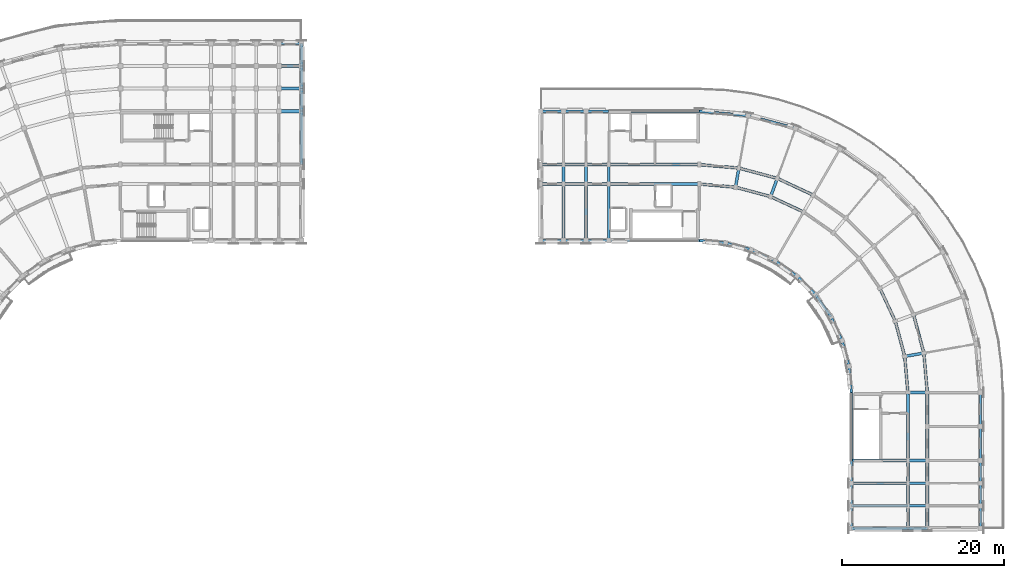
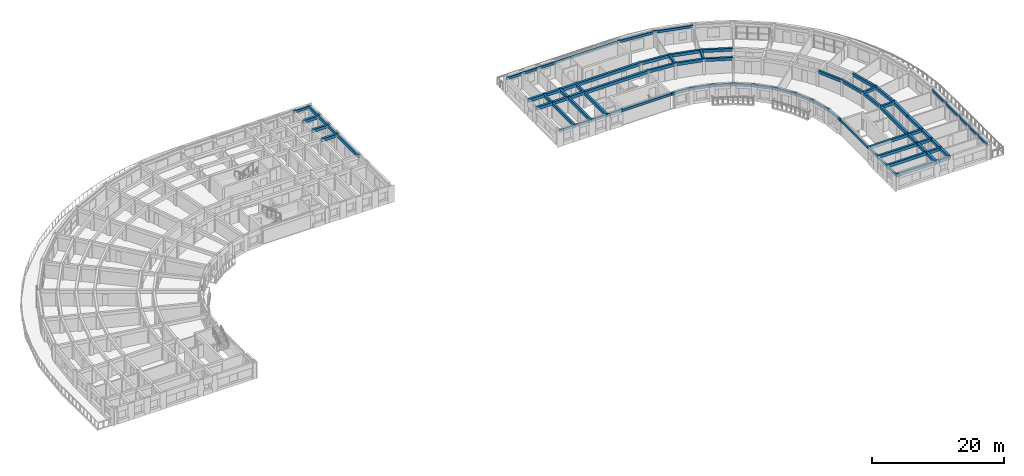
# One storey, part 7 of 32: 82 beams.
"""IFC4 building model written with IfcOpenShell, lengths in metres."""

import ifcopenshell
import ifcopenshell.guid

model = None  # the IFC model being written
_history = None  # IfcOwnerHistory: only IFC2X3 demands one
_inside = {}  # id of a spatial element -> (the spatial element, [elements in it])
_under = {}  # id of a project, library or spatial element -> (it, [spatial elements below it])
_declared = {}  # id of a project -> (the project, [libraries it declares])
_typed = {}  # id of a type object -> (the type object, [elements of that type])
_made_of = {}  # id of a material, layer set ... -> (it, [elements and type objects made of it])


def new_model(schema):
    """Start an empty IFC model of exactly this schema.

    Asked for "IFC4X3", IfcOpenShell would pick the latest addendum, in which some entities
    have other attributes; the version numbers below select the first issue.
    IFC2X3 requires an IfcOwnerHistory on every rooted entity: one is made here for all.
    """
    global model, _history
    if schema == "IFC4X3":
        model = ifcopenshell.file(schema_version=(4, 3, 0, 0))
    else:
        model = ifcopenshell.file(schema=schema)
    _inside.clear()
    _under.clear()
    _declared.clear()
    _typed.clear()
    _made_of.clear()
    _history = None
    if model.schema == "IFC2X3":
        org = make("IfcOrganization", Name="unknown")
        user = make(
            "IfcPersonAndOrganization",
            ThePerson=make("IfcPerson", FamilyName="unknown"),
            TheOrganization=org,
        )
        app = make(
            "IfcApplication",
            ApplicationDeveloper=org,
            Version="unknown",
            ApplicationFullName="unknown",
            ApplicationIdentifier="unknown",
        )
        _history = make(
            "IfcOwnerHistory",
            OwningUser=user,
            OwningApplication=app,
            ChangeAction="ADDED",
            CreationDate=0,
        )
    return model


def make(cls, **values):
    """One entity of the class cls with the attributes given. An attribute that is None is left unset."""
    return model.create_entity(
        cls, **{name: value for name, value in values.items() if value is not None}
    )


def rooted(cls, **values):
    """An entity with a GlobalId (a new one), such as an element, a storey or a relation."""
    return make(cls, GlobalId=ifcopenshell.guid.new(), OwnerHistory=_history, **values)


def si_unit(unit_type, name, prefix=None):
    """IfcSIUnit, for example si_unit("LENGTHUNIT", "METRE", prefix="MILLI")."""
    return make("IfcSIUnit", UnitType=unit_type, Prefix=prefix, Name=name)


def assignment(units):
    """IfcUnitAssignment: the units of a project."""
    return None if units is None else make("IfcUnitAssignment", Units=units)


def point(xyz):
    """IfcCartesianPoint."""
    return None if xyz is None else make("IfcCartesianPoint", Coordinates=xyz)


def direction(xyz):
    """IfcDirection."""
    return None if xyz is None else make("IfcDirection", DirectionRatios=xyz)


def frame(location, z_axis=None, x_axis=None):
    """IfcAxis2Placement3D, a coordinate frame: its origin and axes. An axis left out is left unset."""
    return make(
        "IfcAxis2Placement3D",
        Location=point(location),
        Axis=direction(z_axis),
        RefDirection=direction(x_axis),
    )


def frame_2d(location, x_axis=None):
    """IfcAxis2Placement2D, a coordinate frame in the plane: its origin and x axis."""
    return make(
        "IfcAxis2Placement2D", Location=point(location), RefDirection=direction(x_axis)
    )


def origin():
    """The frame at (0, 0, 0) with its axes left unset."""
    return frame((0.0, 0.0, 0.0))


def origin_2d():
    """The frame at (0, 0) in the plane with its x axis left unset."""
    return frame_2d((0.0, 0.0))


def place(relative_to, where):
    """IfcLocalPlacement: puts the frame where relative to a parent placement (None: the world)."""
    return make(
        "IfcLocalPlacement", PlacementRelTo=relative_to, RelativePlacement=where
    )


def context(
    kind, dimensions, precision=None, world=None, true_north=None, identifier=None
):
    """IfcGeometricRepresentationContext, for example the 3D "Model" context."""
    return make(
        "IfcGeometricRepresentationContext",
        ContextIdentifier=identifier,
        ContextType=kind,
        CoordinateSpaceDimension=dimensions,
        Precision=precision,
        WorldCoordinateSystem=world,
        TrueNorth=true_north,
    )


def subcontext(parent, identifier, kind, view, scale=None):
    """IfcGeometricRepresentationSubContext, for example "Body" below "Model"."""
    return make(
        "IfcGeometricRepresentationSubContext",
        ContextIdentifier=identifier,
        ContextType=kind,
        ParentContext=parent,
        TargetScale=scale,
        TargetView=view,
    )


def project(units=None, contexts=None):
    """IfcProject with its units and contexts."""
    return rooted(
        "IfcProject",
        Name="project",
        RepresentationContexts=contexts,
        UnitsInContext=assignment(units),
    )


def spatial(cls, under=None, at=None, **own):
    """A site, building, storey or space (cls), placed at a placement, below another one or the project."""
    s = rooted(cls, ObjectPlacement=at, **own)
    if under is not None:
        _under.setdefault(under.id(), (under, []))[1].append(s)
    return s


def profile(cls, at=None, kind="AREA", **sizes):
    """A parametric profile (cls). Its sizes go by their IFC names, for example OverallWidth=200.0."""
    return make(cls, ProfileType=kind, Position=at, **sizes)


def rectangle(**sizes):
    """IfcRectangleProfileDef."""
    return profile("IfcRectangleProfileDef", **sizes)


def extrude(swept, where, along, depth):
    """IfcExtrudedAreaSolid: the profile swept, set in the frame where, extruded along a direction by depth."""
    return make(
        "IfcExtrudedAreaSolid",
        SweptArea=swept,
        Position=where,
        ExtrudedDirection=direction(along),
        Depth=depth,
    )


def shape(context_of_items, identifier, shape_type, items):
    """IfcShapeRepresentation: the items that make up one representation, for example the "Body"."""
    return make(
        "IfcShapeRepresentation",
        ContextOfItems=context_of_items,
        RepresentationIdentifier=identifier,
        RepresentationType=shape_type,
        Items=items,
    )


def material(Name=None, Category=None):
    """IfcMaterial."""
    return make("IfcMaterial", Name=Name, Category=Category)


def material_profile(
    of_material, cross_section, Name=None, Category=None, Priority=None
):
    """IfcMaterialProfile: a cross section and its material."""
    return make(
        "IfcMaterialProfile",
        Name=Name,
        Material=of_material,
        Profile=cross_section,
        Priority=Priority,
        Category=Category,
    )


def profile_set(profiles, Name=None, composite=None):
    """IfcMaterialProfileSet."""
    return make(
        "IfcMaterialProfileSet",
        Name=Name,
        MaterialProfiles=profiles,
        CompositeProfile=composite,
    )


def made_of(thing, what):
    """Note that an element or type object is made of a material, layer set ...; save() writes the relation."""
    if what is not None:
        _made_of.setdefault(what.id(), (what, []))[1].append(thing)
    return thing


def type_object(cls, material=None, **own):
    """A type object (cls), such as IfcWallType, which elements share."""
    return made_of(rooted(cls, **own), material)


def element(
    cls,
    number,
    at=None,
    inside=None,
    cuts=None,
    type_object=None,
    material=None,
    context=None,
    identifier="Body",
    shape_type=None,
    held_by="IfcProductDefinitionShape",
    body=None,
    shapes=None,
    **own,
):
    """One element of the class cls, such as IfcWall. Its Tag is "e" and its number.

    at: its placement. inside: the storey or other place that contains it. cuts: it is an
    opening in that element (IfcRelVoidsElement). A single representation is given by context,
    identifier, shape_type and body (its items); several are given by shapes. held_by: the class
    of the entity that holds the representations. save() writes the other relations.
    """
    e = rooted(cls, Tag="e%d" % number, ObjectPlacement=at, **own)
    if body is not None:
        shapes = [shape(context, identifier, shape_type, body)]
    if shapes is not None:
        e.Representation = make(held_by, Representations=shapes)
    if inside is not None:
        _inside.setdefault(inside.id(), (inside, []))[1].append(e)
    if cuts is not None:
        rooted(
            "IfcRelVoidsElement", RelatingBuildingElement=cuts, RelatedOpeningElement=e
        )
    if type_object is not None:
        _typed.setdefault(type_object.id(), (type_object, []))[1].append(e)
    return made_of(e, material)


def aggregate(whole, parts):
    """IfcRelAggregates: a whole, such as a stair, and the parts it consists of."""
    return rooted("IfcRelAggregates", RelatingObject=whole, RelatedObjects=parts)


def save(model, path):
    """Write the relations noted so far, then the file.

    IfcRelAggregates (storeys below a building ...), IfcRelContainedInSpatialStructure (elements
    in a storey), IfcRelDefinesByType, IfcRelAssociatesMaterial and IfcRelDeclares: one each for
    every whole, place, type object, material and project.
    """
    for whole, parts in _under.values():
        aggregate(whole, parts)
    for where, things in _inside.values():
        rooted(
            "IfcRelContainedInSpatialStructure",
            RelatedElements=things,
            RelatingStructure=where,
        )
    for kind, things in _typed.values():
        rooted("IfcRelDefinesByType", RelatedObjects=things, RelatingType=kind)
    for what, things in _made_of.values():
        rooted("IfcRelAssociatesMaterial", RelatedObjects=things, RelatingMaterial=what)
    for by, libraries in _declared.values():
        rooted("IfcRelDeclares", RelatingContext=by, RelatedDefinitions=libraries)
    model.write(path)


model = new_model("IFC4")

# Units and contexts
model_context = context("Model", 3, precision=1e-05, world=origin(), true_north=direction((0.0, 1.0)))
body_context = subcontext(model_context, "Body", "Model", "MODEL_VIEW")
ifc_project = project(units=[si_unit("LENGTHUNIT", "METRE"), si_unit("AREAUNIT", "SQUARE_METRE"), si_unit("VOLUMEUNIT", "CUBIC_METRE"), si_unit("PLANEANGLEUNIT", "RADIAN"), si_unit("MASSUNIT", "GRAM", prefix="KILO")], contexts=[model_context])

# Site, building, storey
site_placement = place(None, origin())
site = spatial("IfcSite", under=ifc_project, at=site_placement, CompositionType="ELEMENT")
building_placement = place(site_placement, origin())
building = spatial("IfcBuilding", under=site, at=building_placement, Name="Kiranvali Square Residences", CompositionType="ELEMENT")
storey_placement = place(building_placement, frame((0.0, 0.0, 40.199951171875)))
storey = spatial("IfcBuildingStorey", under=building, at=storey_placement, Name="L12", CompositionType="ELEMENT", Elevation=40.199951171875)

# Beams
ifc_material_1 = material(Name="Concrete M40 (40 MPa)", Category="concrete")
ifc_material_profile_1 = material_profile(ifc_material_1, rectangle(XDim=0.35009765625, YDim=0.550048828125, at=origin_2d()), Name="RC 350x550")
ifc_profile_set_1 = profile_set([ifc_material_profile_1], Name="Concrete M40 (40 MPa)")
beam_type_1 = type_object("IfcBeamType", Name="BM-M40-350x550", PredefinedType="BEAM", material=ifc_profile_set_1)
beam_1_placement = place(storey_placement, frame((70.60009765625, 116.0, 2.655029296875), z_axis=(0.0, 1.0, 0.0), x_axis=(-1.0, 0.0, 0.0)))
element("IfcBeam", 1, at=beam_1_placement, inside=storey, type_object=beam_type_1, Name="L12 beam BM-A-L12-A1T5-23", PredefinedType="BEAM", context=body_context, shape_type="SweptSolid", body=[
    extrude(rectangle(XDim=0.35009765625, YDim=0.550048828125, at=origin_2d()), origin(), (0.0, 0.0, 1.0), 6.60009765625),
])
beam_2_placement = place(storey_placement, frame((70.60009765625, 122.60009765625, 2.655029296875), z_axis=(0.0, 1.0, 0.0), x_axis=(-1.0, 0.0, 0.0)))
element("IfcBeam", 2, at=beam_2_placement, inside=storey, type_object=beam_type_1, Name="L12 beam BM-A-L12-A1T5-34", PredefinedType="BEAM", context=body_context, shape_type="SweptSolid", body=[
    extrude(rectangle(XDim=0.35009765625, YDim=0.550048828125, at=origin_2d()), origin(), (0.0, 0.0, 1.0), 2.7998046875),
])
for number, where, z_axis, x_axis, name in (
    (3, (70.60009765625, 125.39990234375, 2.655029296875), (0.0, 1.0, 0.0), (-1.0, 0.0, 0.0), "L12 beam BM-A-L12-A1T5-45"),
    (4, (70.60009765625, 128.199951171875, 2.695068359375), (0.0, 1.0, 0.0), (-1.0, 0.0, 0.0), "L12 beam BM-A-L12-A1T5-56"),
):
    element("IfcBeam", number, at=place(storey_placement, frame(where, z_axis=z_axis, x_axis=x_axis)), inside=storey, type_object=beam_type_1, Name=name, PredefinedType="BEAM", context=body_context, shape_type="SweptSolid", body=[
        extrude(rectangle(XDim=0.35009765625, YDim=0.550048828125, at=origin_2d()), origin(), (0.0, 0.0, 1.0), 2.800048828125),
    ])
beam_3_placement = place(storey_placement, frame((119.800048828125, 113.60009765625, 2.635009765625), z_axis=(0.996191949488, -0.087187153726, 0.0), x_axis=(0.087187153726, 0.996191949488, 0.0)))
element("IfcBeam", 5, at=beam_3_placement, inside=storey, type_object=beam_type_1, Name="L12 beam BM-B-L12-C00-R1", PredefinedType="BEAM", context=body_context, shape_type="SweptSolid", body=[
    extrude(rectangle(XDim=0.35009765625, YDim=0.550048828125, at=origin_2d()), origin(), (0.0, 0.0, 1.0), 4.4970703125),
])
beam_4_placement = place(storey_placement, frame((119.800048828125, 116.0, 2.635009765625), z_axis=(0.996193663584, -0.087167566415, 0.0), x_axis=(0.087167566415, 0.996193663584, 0.0)))
element("IfcBeam", 6, at=beam_4_placement, inside=storey, type_object=beam_type_1, Name="L12 beam BM-B-L12-C00-R2", PredefinedType="BEAM", context=body_context, shape_type="SweptSolid", body=[
    extrude(rectangle(XDim=0.35009765625, YDim=0.550048828125, at=origin_2d()), origin(), (0.0, 0.0, 1.0), 4.91552734375),
])
beam_5_placement = place(storey_placement, frame((124.280029296875, 113.2080078125, 2.635009765625), z_axis=(0.965934240054, -0.258787642463, 0.0), x_axis=(0.258787642463, 0.965934240054, 0.0)))
element("IfcBeam", 7, at=beam_5_placement, inside=storey, type_object=beam_type_1, Name="L12 beam BM-B-L12-C01-R1", PredefinedType="BEAM", context=body_context, shape_type="SweptSolid", body=[
    extrude(rectangle(XDim=0.35009765625, YDim=0.550048828125, at=origin_2d()), origin(), (0.0, 0.0, 1.0), 4.497314453125),
])
beam_6_placement = place(storey_placement, frame((124.69677734375, 115.571533203125, 2.635009765625), z_axis=(0.965930095386, -0.258803112091, 0.0), x_axis=(0.258803112091, 0.965930095386, 0.0)))
element("IfcBeam", 8, at=beam_6_placement, inside=storey, type_object=beam_type_1, Name="L12 beam BM-B-L12-C01-R2", PredefinedType="BEAM", context=body_context, shape_type="SweptSolid", body=[
    extrude(rectangle(XDim=0.35009765625, YDim=0.550048828125, at=origin_2d()), origin(), (0.0, 0.0, 1.0), 4.915771484375),
])
beam_7_placement = place(storey_placement, frame((128.6240234375, 112.044189453125, 2.635009765625), z_axis=(0.906307919131, -0.422617978463, 0.0), x_axis=(0.422617978463, 0.906307919131, 0.0)))
element("IfcBeam", 9, at=beam_7_placement, inside=storey, type_object=beam_type_1, Name="L12 beam BM-B-L12-C02-R1", PredefinedType="BEAM", context=body_context, shape_type="SweptSolid", body=[
    extrude(rectangle(XDim=0.35009765625, YDim=0.550048828125, at=origin_2d()), origin(), (0.0, 0.0, 1.0), 4.497314453125),
])
beam_8_placement = place(storey_placement, frame((129.445068359375, 114.29931640625, 2.635009765625), z_axis=(0.906302381024, -0.422629854778, 0.0), x_axis=(0.422629854778, 0.906302381024, 0.0)))
element("IfcBeam", 10, at=beam_8_placement, inside=storey, type_object=beam_type_1, Name="L12 beam BM-B-L12-C02-R2", PredefinedType="BEAM", context=body_context, shape_type="SweptSolid", body=[
    extrude(rectangle(XDim=0.35009765625, YDim=0.550048828125, at=origin_2d()), origin(), (0.0, 0.0, 1.0), 4.915283203125),
])
for number, where, z_axis, x_axis, name in (
    (11, (142.1435546875, 100.699951171875, 2.635009765625), (0.422617978463, -0.906307919131, 0.0), (0.906307919131, 0.422617978463, 0.0), "L12 beam BM-B-L12-C06-R1"),
    (12, (144.044189453125, 96.6240234375, 2.635009765625), (0.258787642463, -0.965934240054, 0.0), (0.965934240054, 0.258787642463, 0.0), "L12 beam BM-B-L12-C07-R1"),
):
    element("IfcBeam", number, at=place(storey_placement, frame(where, z_axis=z_axis, x_axis=x_axis)), inside=storey, type_object=beam_type_1, Name=name, PredefinedType="BEAM", context=body_context, shape_type="SweptSolid", body=[
        extrude(rectangle(XDim=0.35009765625, YDim=0.550048828125, at=origin_2d()), origin(), (0.0, 0.0, 1.0), 4.497314453125),
    ])
beam_9_placement = place(storey_placement, frame((146.29931640625, 97.445068359375, 2.635009765625), z_axis=(0.258803112091, -0.965930095386, 0.0), x_axis=(0.965930095386, 0.258803112091, 0.0)))
element("IfcBeam", 13, at=beam_9_placement, inside=storey, type_object=beam_type_1, Name="L12 beam BM-B-L12-C07-R2", PredefinedType="BEAM", context=body_context, shape_type="SweptSolid", body=[
    extrude(rectangle(XDim=0.35009765625, YDim=0.550048828125, at=origin_2d()), origin(), (0.0, 0.0, 1.0), 4.915771484375),
])
beam_10_placement = place(storey_placement, frame((145.2080078125, 92.280029296875, 2.635009765625), z_axis=(0.087187153726, -0.996191949488, 0.0), x_axis=(0.996191949488, 0.087187153726, 0.0)))
element("IfcBeam", 14, at=beam_10_placement, inside=storey, type_object=beam_type_1, Name="L12 beam BM-B-L12-C08-R1", PredefinedType="BEAM", context=body_context, shape_type="SweptSolid", body=[
    extrude(rectangle(XDim=0.35009765625, YDim=0.550048828125, at=origin_2d()), origin(), (0.0, 0.0, 1.0), 4.4970703125),
])
beam_11_placement = place(storey_placement, frame((147.571533203125, 92.69677734375, 2.635009765625), z_axis=(0.087167566415, -0.996193663584, 0.0), x_axis=(0.996193663584, 0.087167566415, 0.0)))
element("IfcBeam", 15, at=beam_11_placement, inside=storey, type_object=beam_type_1, Name="L12 beam BM-B-L12-C08-R2", PredefinedType="BEAM", context=body_context, shape_type="SweptSolid", body=[
    extrude(rectangle(XDim=0.35009765625, YDim=0.550048828125, at=origin_2d()), origin(), (0.0, 0.0, 1.0), 4.91552734375),
])
for number, where, z_axis, x_axis, name in (
    (16, (124.280029296875, 113.2080078125, 2.635009765625), (0.173646056486, 0.984808127031, 0.0), (-0.984808127031, 0.173646056486, 0.0), "L12 beam BM-B-L12-RAD01-12"),
    (17, (128.6240234375, 112.044189453125, 2.635009765625), (0.342110593602, 0.939659694648, 0.0), (-0.939659694648, 0.342110593602, 0.0), "L12 beam BM-B-L12-RAD02-12"),
    (18, (145.2080078125, 92.280029296875, 2.635009765625), (0.984808127031, 0.173646056486, 0.0), (-0.173646056486, 0.984808127031, 0.0), "L12 beam BM-B-L12-RAD08-12"),
):
    element("IfcBeam", number, at=place(storey_placement, frame(where, z_axis=z_axis, x_axis=x_axis)), inside=storey, type_object=beam_type_1, Name=name, PredefinedType="BEAM", context=body_context, shape_type="SweptSolid", body=[
        extrude(rectangle(XDim=0.35009765625, YDim=0.550048828125, at=origin_2d()), origin(), (0.0, 0.0, 1.0), 2.39990234375),
    ])
beam_12_placement = place(storey_placement, frame((108.60009765625, 106.60009765625, 2.635009765625), z_axis=(0.0, 1.0, 0.0), x_axis=(-1.0, 0.0, 0.0)))
element("IfcBeam", 19, at=beam_12_placement, inside=storey, type_object=beam_type_1, Name="L12 beam BM-B-L12-A1T1-01", PredefinedType="BEAM", context=body_context, shape_type="SweptSolid", body=[
    extrude(rectangle(XDim=0.35009765625, YDim=0.550048828125, at=origin_2d()), origin(), (0.0, 0.0, 1.0), 7.0),
])
beam_13_placement = place(storey_placement, frame((108.60009765625, 113.60009765625, 2.635009765625), z_axis=(0.0, 1.0, 0.0), x_axis=(-1.0, 0.0, 0.0)))
element("IfcBeam", 20, at=beam_13_placement, inside=storey, type_object=beam_type_1, Name="L12 beam BM-B-L12-A1T1-12", PredefinedType="BEAM", context=body_context, shape_type="SweptSolid", body=[
    extrude(rectangle(XDim=0.35009765625, YDim=0.550048828125, at=origin_2d()), origin(), (0.0, 0.0, 1.0), 2.39990234375),
])
beam_14_placement = place(storey_placement, frame((105.800048828125, 106.60009765625, 2.635009765625), z_axis=(0.0, 1.0, 0.0), x_axis=(-1.0, 0.0, 0.0)))
element("IfcBeam", 21, at=beam_14_placement, inside=storey, type_object=beam_type_1, Name="L12 beam BM-B-L12-A1T2-01", PredefinedType="BEAM", context=body_context, shape_type="SweptSolid", body=[
    extrude(rectangle(XDim=0.35009765625, YDim=0.550048828125, at=origin_2d()), origin(), (0.0, 0.0, 1.0), 7.0),
])
beam_15_placement = place(storey_placement, frame((105.800048828125, 113.60009765625, 2.635009765625), z_axis=(0.0, 1.0, 0.0), x_axis=(-1.0, 0.0, 0.0)))
element("IfcBeam", 22, at=beam_15_placement, inside=storey, type_object=beam_type_1, Name="L12 beam BM-B-L12-A1T2-12", PredefinedType="BEAM", context=body_context, shape_type="SweptSolid", body=[
    extrude(rectangle(XDim=0.35009765625, YDim=0.550048828125, at=origin_2d()), origin(), (0.0, 0.0, 1.0), 2.39990234375),
])
beam_16_placement = place(storey_placement, frame((103.0, 106.60009765625, 2.635009765625), z_axis=(0.0, 1.0, 0.0), x_axis=(-1.0, 0.0, 0.0)))
element("IfcBeam", 23, at=beam_16_placement, inside=storey, type_object=beam_type_1, Name="L12 beam BM-B-L12-A1T3-01", PredefinedType="BEAM", context=body_context, shape_type="SweptSolid", body=[
    extrude(rectangle(XDim=0.35009765625, YDim=0.550048828125, at=origin_2d()), origin(), (0.0, 0.0, 1.0), 7.0),
])
for number, where, z_axis, x_axis, name in (
    (24, (103.0, 113.60009765625, 2.635009765625), (0.0, 1.0, 0.0), (-1.0, 0.0, 0.0), "L12 beam BM-B-L12-A1T3-12"),
    (25, (145.60009765625, 87.800048828125, 2.635009765625), (1.0, 0.0, 0.0), (0.0, 1.0, 0.0), "L12 beam BM-B-L12-A2T0-12"),
):
    element("IfcBeam", number, at=place(storey_placement, frame(where, z_axis=z_axis, x_axis=x_axis)), inside=storey, type_object=beam_type_1, Name=name, PredefinedType="BEAM", context=body_context, shape_type="SweptSolid", body=[
        extrude(rectangle(XDim=0.35009765625, YDim=0.550048828125, at=origin_2d()), origin(), (0.0, 0.0, 1.0), 2.39990234375),
    ])
beam_17_placement = place(storey_placement, frame((138.60009765625, 79.39990234375, 2.635009765625), z_axis=(1.0, 0.0, 0.0), x_axis=(0.0, 1.0, 0.0)))
element("IfcBeam", 26, at=beam_17_placement, inside=storey, type_object=beam_type_1, Name="L12 beam BM-B-L12-A2T1-01", PredefinedType="BEAM", context=body_context, shape_type="SweptSolid", body=[
    extrude(rectangle(XDim=0.35009765625, YDim=0.550048828125, at=origin_2d()), origin(), (0.0, 0.0, 1.0), 7.0),
])
beam_18_placement = place(storey_placement, frame((145.60009765625, 79.39990234375, 2.635009765625), z_axis=(1.0, 0.0, 0.0), x_axis=(0.0, 1.0, 0.0)))
element("IfcBeam", 27, at=beam_18_placement, inside=storey, type_object=beam_type_1, Name="L12 beam BM-B-L12-A2T1-12", PredefinedType="BEAM", context=body_context, shape_type="SweptSolid", body=[
    extrude(rectangle(XDim=0.35009765625, YDim=0.550048828125, at=origin_2d()), origin(), (0.0, 0.0, 1.0), 2.39990234375),
])
beam_19_placement = place(storey_placement, frame((138.60009765625, 76.60009765625, 2.635009765625), z_axis=(1.0, 0.0, 0.0), x_axis=(0.0, 1.0, 0.0)))
element("IfcBeam", 28, at=beam_19_placement, inside=storey, type_object=beam_type_1, Name="L12 beam BM-B-L12-A2T2-01", PredefinedType="BEAM", context=body_context, shape_type="SweptSolid", body=[
    extrude(rectangle(XDim=0.35009765625, YDim=0.550048828125, at=origin_2d()), origin(), (0.0, 0.0, 1.0), 7.0),
])
beam_20_placement = place(storey_placement, frame((145.60009765625, 76.60009765625, 2.635009765625), z_axis=(1.0, 0.0, 0.0), x_axis=(0.0, 1.0, 0.0)))
element("IfcBeam", 29, at=beam_20_placement, inside=storey, type_object=beam_type_1, Name="L12 beam BM-B-L12-A2T2-12", PredefinedType="BEAM", context=body_context, shape_type="SweptSolid", body=[
    extrude(rectangle(XDim=0.35009765625, YDim=0.550048828125, at=origin_2d()), origin(), (0.0, 0.0, 1.0), 2.39990234375),
])
beam_21_placement = place(storey_placement, frame((138.60009765625, 73.800048828125, 2.635009765625), z_axis=(1.0, 0.0, 0.0), x_axis=(0.0, 1.0, 0.0)))
element("IfcBeam", 30, at=beam_21_placement, inside=storey, type_object=beam_type_1, Name="L12 beam BM-B-L12-A2T3-01", PredefinedType="BEAM", context=body_context, shape_type="SweptSolid", body=[
    extrude(rectangle(XDim=0.35009765625, YDim=0.550048828125, at=origin_2d()), origin(), (0.0, 0.0, 1.0), 7.0),
])
beam_22_placement = place(storey_placement, frame((145.60009765625, 73.800048828125, 2.635009765625), z_axis=(1.0, 0.0, 0.0), x_axis=(0.0, 1.0, 0.0)))
element("IfcBeam", 31, at=beam_22_placement, inside=storey, type_object=beam_type_1, Name="L12 beam BM-B-L12-A2T3-12", PredefinedType="BEAM", context=body_context, shape_type="SweptSolid", body=[
    extrude(rectangle(XDim=0.35009765625, YDim=0.550048828125, at=origin_2d()), origin(), (0.0, 0.0, 1.0), 2.39990234375),
])
beam_23_placement = place(storey_placement, frame((138.60009765625, 71.0, 2.635009765625), z_axis=(1.0, 0.0, 0.0), x_axis=(0.0, 1.0, 0.0)))
element("IfcBeam", 32, at=beam_23_placement, inside=storey, type_object=beam_type_1, Name="L12 beam BM-B-L12-A2T4-01", PredefinedType="BEAM", context=body_context, shape_type="SweptSolid", body=[
    extrude(rectangle(XDim=0.35009765625, YDim=0.550048828125, at=origin_2d()), origin(), (0.0, 0.0, 1.0), 7.0),
])
beam_24_placement = place(storey_placement, frame((145.60009765625, 71.0, 2.635009765625), z_axis=(1.0, 0.0, 0.0), x_axis=(0.0, 1.0, 0.0)))
element("IfcBeam", 33, at=beam_24_placement, inside=storey, type_object=beam_type_1, Name="L12 beam BM-B-L12-A2T4-12", PredefinedType="BEAM", context=body_context, shape_type="SweptSolid", body=[
    extrude(rectangle(XDim=0.35009765625, YDim=0.550048828125, at=origin_2d()), origin(), (0.0, 0.0, 1.0), 2.39990234375),
])
ifc_material_2 = material(Name="Concrete M45 (45 MPa)", Category="concrete")
ifc_material_profile_2 = material_profile(ifc_material_2, rectangle(XDim=0.39990234375, YDim=0.550048828125, at=origin_2d()), Name="RC 400x550")
ifc_profile_set_2 = profile_set([ifc_material_profile_2], Name="Concrete M45 (45 MPa)")
beam_type_2 = type_object("IfcBeamType", Name="BM-M45-400x550", PredefinedType="BEAM", material=ifc_profile_set_2)
for number, where, z_axis, x_axis, name in (
    (34, (67.800048828125, 122.60009765625, 2.655029296875), (1.0, 0.0, 0.0), (0.0, 1.0, 0.0), "L12 beam BM-A-L12-A1U4-R3"),
    (35, (67.800048828125, 125.39990234375, 2.655029296875), (1.0, 0.0, 0.0), (0.0, 1.0, 0.0), "L12 beam BM-A-L12-A1U5-R4"),
    (36, (67.800048828125, 128.199951171875, 2.655029296875), (1.0, 0.0, 0.0), (0.0, 1.0, 0.0), "L12 beam BM-A-L12-A1U5-R5"),
):
    element("IfcBeam", number, at=place(storey_placement, frame(where, z_axis=z_axis, x_axis=x_axis)), inside=storey, type_object=beam_type_2, Name=name, PredefinedType="BEAM", context=body_context, shape_type="SweptSolid", body=[
        extrude(rectangle(XDim=0.39990234375, YDim=0.550048828125, at=origin_2d()), origin(), (0.0, 0.0, 1.0), 2.800048828125),
    ])
beam_25_placement = place(storey_placement, frame((119.800048828125, 113.60009765625, 2.635009765625), z_axis=(-1.0, 0.0, 0.0), x_axis=(0.0, -1.0, 0.0)))
element("IfcBeam", 37, at=beam_25_placement, inside=storey, type_object=beam_type_2, Name="L12 beam BM-B-L12-A1U0-R1", PredefinedType="BEAM", context=body_context, shape_type="SweptSolid", body=[
    extrude(rectangle(XDim=0.39990234375, YDim=0.550048828125, at=origin_2d()), origin(), (0.0, 0.0, 1.0), 11.199951171875),
])
for number, where, z_axis, x_axis, name in (
    (38, (108.60009765625, 113.60009765625, 2.635009765625), (-1.0, 0.0, 0.0), (0.0, -1.0, 0.0), "L12 beam BM-B-L12-A1U1-R1"),
    (39, (105.800048828125, 113.60009765625, 2.635009765625), (-1.0, 0.0, 0.0), (0.0, -1.0, 0.0), "L12 beam BM-B-L12-A1U2-R1"),
    (40, (103.0, 113.60009765625, 2.635009765625), (-1.0, 0.0, 0.0), (0.0, -1.0, 0.0), "L12 beam BM-B-L12-A1U3-R1"),
):
    element("IfcBeam", number, at=place(storey_placement, frame(where, z_axis=z_axis, x_axis=x_axis)), inside=storey, type_object=beam_type_2, Name=name, PredefinedType="BEAM", context=body_context, shape_type="SweptSolid", body=[
        extrude(rectangle(XDim=0.39990234375, YDim=0.550048828125, at=origin_2d()), origin(), (0.0, 0.0, 1.0), 2.800048828125),
    ])
beam_26_placement = place(storey_placement, frame((119.800048828125, 116.0, 2.635009765625), z_axis=(-1.0, 0.0, 0.0), x_axis=(0.0, -1.0, 0.0)))
element("IfcBeam", 41, at=beam_26_placement, inside=storey, type_object=beam_type_2, Name="L12 beam BM-B-L12-A1U0-R2", PredefinedType="BEAM", context=body_context, shape_type="SweptSolid", body=[
    extrude(rectangle(XDim=0.39990234375, YDim=0.550048828125, at=origin_2d()), origin(), (0.0, 0.0, 1.0), 11.199951171875),
])
for number, where, z_axis, x_axis, name in (
    (42, (108.60009765625, 116.0, 2.635009765625), (-1.0, 0.0, 0.0), (0.0, -1.0, 0.0), "L12 beam BM-B-L12-A1U1-R2"),
    (43, (105.800048828125, 116.0, 2.635009765625), (-1.0, 0.0, 0.0), (0.0, -1.0, 0.0), "L12 beam BM-B-L12-A1U2-R2"),
    (44, (103.0, 116.0, 2.635009765625), (-1.0, 0.0, 0.0), (0.0, -1.0, 0.0), "L12 beam BM-B-L12-A1U3-R2"),
):
    element("IfcBeam", number, at=place(storey_placement, frame(where, z_axis=z_axis, x_axis=x_axis)), inside=storey, type_object=beam_type_2, Name=name, PredefinedType="BEAM", context=body_context, shape_type="SweptSolid", body=[
        extrude(rectangle(XDim=0.39990234375, YDim=0.550048828125, at=origin_2d()), origin(), (0.0, 0.0, 1.0), 2.800048828125),
    ])
beam_27_placement = place(storey_placement, frame((145.60009765625, 87.800048828125, 2.635009765625), z_axis=(0.0, -1.0, 0.0), x_axis=(1.0, 0.0, 0.0)))
element("IfcBeam", 45, at=beam_27_placement, inside=storey, type_object=beam_type_2, Name="L12 beam BM-B-L12-A2V0-R1", PredefinedType="BEAM", context=body_context, shape_type="SweptSolid", body=[
    extrude(rectangle(XDim=0.39990234375, YDim=0.550048828125, at=origin_2d()), origin(), (0.0, 0.0, 1.0), 8.400146484375),
])
beam_28_placement = place(storey_placement, frame((145.60009765625, 79.39990234375, 2.635009765625), z_axis=(0.0, -1.0, 0.0), x_axis=(1.0, 0.0, 0.0)))
element("IfcBeam", 46, at=beam_28_placement, inside=storey, type_object=beam_type_2, Name="L12 beam BM-B-L12-A2V1-R1", PredefinedType="BEAM", context=body_context, shape_type="SweptSolid", body=[
    extrude(rectangle(XDim=0.39990234375, YDim=0.550048828125, at=origin_2d()), origin(), (0.0, 0.0, 1.0), 2.7998046875),
])
for number, where, z_axis, x_axis, name in (
    (47, (145.60009765625, 76.60009765625, 2.635009765625), (0.0, -1.0, 0.0), (1.0, 0.0, 0.0), "L12 beam BM-B-L12-A2V2-R1"),
    (48, (145.60009765625, 73.800048828125, 2.635009765625), (0.0, -1.0, 0.0), (1.0, 0.0, 0.0), "L12 beam BM-B-L12-A2V3-R1"),
):
    element("IfcBeam", number, at=place(storey_placement, frame(where, z_axis=z_axis, x_axis=x_axis)), inside=storey, type_object=beam_type_2, Name=name, PredefinedType="BEAM", context=body_context, shape_type="SweptSolid", body=[
        extrude(rectangle(XDim=0.39990234375, YDim=0.550048828125, at=origin_2d()), origin(), (0.0, 0.0, 1.0), 2.800048828125),
    ])
beam_29_placement = place(storey_placement, frame((148.0, 87.800048828125, 2.635009765625), z_axis=(0.0, -1.0, 0.0), x_axis=(1.0, 0.0, 0.0)))
element("IfcBeam", 49, at=beam_29_placement, inside=storey, type_object=beam_type_2, Name="L12 beam BM-B-L12-A2V0-R2", PredefinedType="BEAM", context=body_context, shape_type="SweptSolid", body=[
    extrude(rectangle(XDim=0.39990234375, YDim=0.550048828125, at=origin_2d()), origin(), (0.0, 0.0, 1.0), 4.199951171875),
])
beam_30_placement = place(storey_placement, frame((148.0, 83.60009765625, 2.635009765625), z_axis=(0.0, -1.0, 0.0), x_axis=(1.0, 0.0, 0.0)))
element("IfcBeam", 50, at=beam_30_placement, inside=storey, type_object=beam_type_2, Name="L12 beam BM-B-L12-A2V1-R2", PredefinedType="BEAM", context=body_context, shape_type="SweptSolid", body=[
    extrude(rectangle(XDim=0.39990234375, YDim=0.550048828125, at=origin_2d()), origin(), (0.0, 0.0, 1.0), 4.2001953125),
])
beam_31_placement = place(storey_placement, frame((148.0, 79.39990234375, 2.635009765625), z_axis=(0.0, -1.0, 0.0), x_axis=(1.0, 0.0, 0.0)))
element("IfcBeam", 51, at=beam_31_placement, inside=storey, type_object=beam_type_2, Name="L12 beam BM-B-L12-A2V2-R2", PredefinedType="BEAM", context=body_context, shape_type="SweptSolid", body=[
    extrude(rectangle(XDim=0.39990234375, YDim=0.550048828125, at=origin_2d()), origin(), (0.0, 0.0, 1.0), 2.7998046875),
])
for number, where, z_axis, x_axis, name in (
    (52, (148.0, 76.60009765625, 2.635009765625), (0.0, -1.0, 0.0), (1.0, 0.0, 0.0), "L12 beam BM-B-L12-A2V3-R2"),
    (53, (148.0, 73.800048828125, 2.635009765625), (0.0, -1.0, 0.0), (1.0, 0.0, 0.0), "L12 beam BM-B-L12-A2V4-R2"),
):
    element("IfcBeam", number, at=place(storey_placement, frame(where, z_axis=z_axis, x_axis=x_axis)), inside=storey, type_object=beam_type_2, Name=name, PredefinedType="BEAM", context=body_context, shape_type="SweptSolid", body=[
        extrude(rectangle(XDim=0.39990234375, YDim=0.550048828125, at=origin_2d()), origin(), (0.0, 0.0, 1.0), 2.800048828125),
    ])
ifc_material_profile_3 = material_profile(ifc_material_1, rectangle(XDim=0.25, YDim=0.449951171875, at=origin_2d()), Name="RC 250x450")
ifc_profile_set_3 = profile_set([ifc_material_profile_3], Name="Concrete M40 (40 MPa)")
beam_type_3 = type_object("IfcBeamType", Name="SPN-M40-250x450", PredefinedType="SPANDREL", material=ifc_profile_set_3)
beam_32_placement = place(storey_placement, frame((67.800048828125, 131.0, 2.7451171875), z_axis=(1.0, 0.0, 0.0), x_axis=(0.0, 1.0, 0.0)))
element("IfcBeam", 54, at=beam_32_placement, inside=storey, type_object=beam_type_3, Name="L12 beam BM-A-L12-A1U5-R6", PredefinedType="SPANDREL", context=body_context, shape_type="SweptSolid", body=[
    extrude(rectangle(XDim=0.25, YDim=0.449951171875, at=origin_2d()), origin(), (0.0, 0.0, 1.0), 2.800048828125),
])
beam_33_placement = place(storey_placement, frame((119.800048828125, 106.60009765625, 2.68505859375), z_axis=(-1.0, 0.0, 0.0), x_axis=(0.0, -1.0, 0.0)))
element("IfcBeam", 55, at=beam_33_placement, inside=storey, type_object=beam_type_3, Name="L12 beam BM-B-L12-A1U0-R0", PredefinedType="SPANDREL", context=body_context, shape_type="SweptSolid", body=[
    extrude(rectangle(XDim=0.25, YDim=0.449951171875, at=origin_2d()), origin(), (0.0, 0.0, 1.0), 11.199951171875),
])
for number, where, z_axis, x_axis, name in (
    (56, (108.60009765625, 106.60009765625, 2.68505859375), (-1.0, 0.0, 0.0), (0.0, -1.0, 0.0), "L12 beam BM-B-L12-A1U1-R0"),
    (57, (105.800048828125, 106.60009765625, 2.68505859375), (-1.0, 0.0, 0.0), (0.0, -1.0, 0.0), "L12 beam BM-B-L12-A1U2-R0"),
    (58, (103.0, 106.60009765625, 2.68505859375), (-1.0, 0.0, 0.0), (0.0, -1.0, 0.0), "L12 beam BM-B-L12-A1U3-R0"),
):
    element("IfcBeam", number, at=place(storey_placement, frame(where, z_axis=z_axis, x_axis=x_axis)), inside=storey, type_object=beam_type_3, Name=name, PredefinedType="SPANDREL", context=body_context, shape_type="SweptSolid", body=[
        extrude(rectangle(XDim=0.25, YDim=0.449951171875, at=origin_2d()), origin(), (0.0, 0.0, 1.0), 2.800048828125),
    ])
beam_34_placement = place(storey_placement, frame((119.800048828125, 122.60009765625, 2.68505859375), z_axis=(-1.0, 0.0, 0.0), x_axis=(0.0, -1.0, 0.0)))
element("IfcBeam", 59, at=beam_34_placement, inside=storey, type_object=beam_type_3, Name="L12 beam BM-B-L12-A1U0-R3", PredefinedType="SPANDREL", context=body_context, shape_type="SweptSolid", body=[
    extrude(rectangle(XDim=0.25, YDim=0.449951171875, at=origin_2d()), origin(), (0.0, 0.0, 1.0), 11.199951171875),
])
for number, where, z_axis, x_axis, name in (
    (60, (108.60009765625, 122.60009765625, 2.68505859375), (-1.0, 0.0, 0.0), (0.0, -1.0, 0.0), "L12 beam BM-B-L12-A1U1-R3"),
    (61, (105.800048828125, 122.60009765625, 2.68505859375), (-1.0, 0.0, 0.0), (0.0, -1.0, 0.0), "L12 beam BM-B-L12-A1U2-R3"),
    (62, (103.0, 122.60009765625, 2.68505859375), (-1.0, 0.0, 0.0), (0.0, -1.0, 0.0), "L12 beam BM-B-L12-A1U3-R3"),
):
    element("IfcBeam", number, at=place(storey_placement, frame(where, z_axis=z_axis, x_axis=x_axis)), inside=storey, type_object=beam_type_3, Name=name, PredefinedType="SPANDREL", context=body_context, shape_type="SweptSolid", body=[
        extrude(rectangle(XDim=0.25, YDim=0.449951171875, at=origin_2d()), origin(), (0.0, 0.0, 1.0), 2.800048828125),
    ])
beam_35_placement = place(storey_placement, frame((138.60009765625, 87.800048828125, 2.68505859375), z_axis=(0.0, -1.0, 0.0), x_axis=(1.0, 0.0, 0.0)))
element("IfcBeam", 63, at=beam_35_placement, inside=storey, type_object=beam_type_3, Name="L12 beam BM-B-L12-A2V0-R0", PredefinedType="SPANDREL", context=body_context, shape_type="SweptSolid", body=[
    extrude(rectangle(XDim=0.25, YDim=0.449951171875, at=origin_2d()), origin(), (0.0, 0.0, 1.0), 8.400146484375),
])
beam_36_placement = place(storey_placement, frame((138.60009765625, 79.39990234375, 2.68505859375), z_axis=(0.0, -1.0, 0.0), x_axis=(1.0, 0.0, 0.0)))
element("IfcBeam", 64, at=beam_36_placement, inside=storey, type_object=beam_type_3, Name="L12 beam BM-B-L12-A2V1-R0", PredefinedType="SPANDREL", context=body_context, shape_type="SweptSolid", body=[
    extrude(rectangle(XDim=0.25, YDim=0.449951171875, at=origin_2d()), origin(), (0.0, 0.0, 1.0), 2.7998046875),
])
for number, where, z_axis, x_axis, name in (
    (65, (138.60009765625, 76.60009765625, 2.68505859375), (0.0, -1.0, 0.0), (1.0, 0.0, 0.0), "L12 beam BM-B-L12-A2V2-R0"),
    (66, (138.60009765625, 73.800048828125, 2.68505859375), (0.0, -1.0, 0.0), (1.0, 0.0, 0.0), "L12 beam BM-B-L12-A2V3-R0"),
):
    element("IfcBeam", number, at=place(storey_placement, frame(where, z_axis=z_axis, x_axis=x_axis)), inside=storey, type_object=beam_type_3, Name=name, PredefinedType="SPANDREL", context=body_context, shape_type="SweptSolid", body=[
        extrude(rectangle(XDim=0.25, YDim=0.449951171875, at=origin_2d()), origin(), (0.0, 0.0, 1.0), 2.800048828125),
    ])
beam_37_placement = place(storey_placement, frame((154.60009765625, 87.800048828125, 2.68505859375), z_axis=(0.0, -1.0, 0.0), x_axis=(1.0, 0.0, 0.0)))
element("IfcBeam", 67, at=beam_37_placement, inside=storey, type_object=beam_type_3, Name="L12 beam BM-B-L12-A2V0-R3", PredefinedType="SPANDREL", context=body_context, shape_type="SweptSolid", body=[
    extrude(rectangle(XDim=0.25, YDim=0.449951171875, at=origin_2d()), origin(), (0.0, 0.0, 1.0), 4.199951171875),
])
beam_38_placement = place(storey_placement, frame((154.60009765625, 83.60009765625, 2.68505859375), z_axis=(0.0, -1.0, 0.0), x_axis=(1.0, 0.0, 0.0)))
element("IfcBeam", 68, at=beam_38_placement, inside=storey, type_object=beam_type_3, Name="L12 beam BM-B-L12-A2V1-R3", PredefinedType="SPANDREL", context=body_context, shape_type="SweptSolid", body=[
    extrude(rectangle(XDim=0.25, YDim=0.449951171875, at=origin_2d()), origin(), (0.0, 0.0, 1.0), 4.2001953125),
])
beam_39_placement = place(storey_placement, frame((154.60009765625, 79.39990234375, 2.68505859375), z_axis=(0.0, -1.0, 0.0), x_axis=(1.0, 0.0, 0.0)))
element("IfcBeam", 69, at=beam_39_placement, inside=storey, type_object=beam_type_3, Name="L12 beam BM-B-L12-A2V2-R3", PredefinedType="SPANDREL", context=body_context, shape_type="SweptSolid", body=[
    extrude(rectangle(XDim=0.25, YDim=0.449951171875, at=origin_2d()), origin(), (0.0, 0.0, 1.0), 2.7998046875),
])
for number, where, z_axis, x_axis, name in (
    (70, (154.60009765625, 76.60009765625, 2.68505859375), (0.0, -1.0, 0.0), (1.0, 0.0, 0.0), "L12 beam BM-B-L12-A2V3-R3"),
    (71, (154.60009765625, 73.800048828125, 2.68505859375), (0.0, -1.0, 0.0), (1.0, 0.0, 0.0), "L12 beam BM-B-L12-A2V4-R3"),
):
    element("IfcBeam", number, at=place(storey_placement, frame(where, z_axis=z_axis, x_axis=x_axis)), inside=storey, type_object=beam_type_3, Name=name, PredefinedType="SPANDREL", context=body_context, shape_type="SweptSolid", body=[
        extrude(rectangle(XDim=0.25, YDim=0.449951171875, at=origin_2d()), origin(), (0.0, 0.0, 1.0), 2.800048828125),
    ])
ifc_material_profile_4 = material_profile(ifc_material_1, rectangle(XDim=0.300048828125, YDim=0.449951171875, at=origin_2d()), Name="RC 300x450")
ifc_profile_set_4 = profile_set([ifc_material_profile_4], Name="Concrete M40 (40 MPa)")
beam_type_4 = type_object("IfcBeamType", Name="SPN-M40-300x450", PredefinedType="SPANDREL", material=ifc_profile_set_4)
beam_40_placement = place(storey_placement, frame((119.800048828125, 106.60009765625, 2.68505859375), z_axis=(0.996194040944, -0.087163253657, 0.0), x_axis=(0.087163253657, 0.996194040944, 0.0)))
element("IfcBeam", 72, at=beam_40_placement, inside=storey, type_object=beam_type_4, Name="L12 beam BM-B-L12-C00-R0", PredefinedType="SPANDREL", context=body_context, shape_type="SweptSolid", body=[
    extrude(rectangle(XDim=0.300048828125, YDim=0.449951171875, at=origin_2d()), origin(), (0.0, 0.0, 1.0), 3.277099609375),
])
beam_41_placement = place(storey_placement, frame((119.800048828125, 122.60009765625, 2.68505859375), z_axis=(0.996193018494, -0.087174938512, 0.0), x_axis=(0.087174938512, 0.996193018494, 0.0)))
element("IfcBeam", 73, at=beam_41_placement, inside=storey, type_object=beam_type_4, Name="L12 beam BM-B-L12-C00-R3", PredefinedType="SPANDREL", context=body_context, shape_type="SweptSolid", body=[
    extrude(rectangle(XDim=0.300048828125, YDim=0.449951171875, at=origin_2d()), origin(), (0.0, 0.0, 1.0), 6.066162109375),
])
beam_42_placement = place(storey_placement, frame((123.064697265625, 106.314453125, 2.68505859375), z_axis=(0.965925105099, -0.258821736607, 0.0), x_axis=(0.258821736607, 0.965925105099, 0.0)))
element("IfcBeam", 74, at=beam_42_placement, inside=storey, type_object=beam_type_4, Name="L12 beam BM-B-L12-C01-R0", PredefinedType="SPANDREL", context=body_context, shape_type="SweptSolid", body=[
    extrude(rectangle(XDim=0.300048828125, YDim=0.449951171875, at=origin_2d()), origin(), (0.0, 0.0, 1.0), 3.27685546875),
])
beam_43_placement = place(storey_placement, frame((125.843017578125, 122.0712890625, 2.68505859375), z_axis=(0.965923618901, -0.258827283048, 0.0), x_axis=(0.258827283048, 0.965923618901, 0.0)))
element("IfcBeam", 75, at=beam_43_placement, inside=storey, type_object=beam_type_4, Name="L12 beam BM-B-L12-C01-R3", PredefinedType="SPANDREL", context=body_context, shape_type="SweptSolid", body=[
    extrude(rectangle(XDim=0.300048828125, YDim=0.449951171875, at=origin_2d()), origin(), (0.0, 0.0, 1.0), 6.066162109375),
])
for number, where, z_axis, x_axis, name in (
    (76, (126.22998046875, 105.46630859375, 2.68505859375), (0.90629730464, -0.422640740585, 0.0), (0.422640740585, 0.90629730464, 0.0), "L12 beam BM-B-L12-C02-R0"),
    (77, (129.199951171875, 104.081298828125, 2.68505859375), (0.81916891812, -0.573552337269, 0.0), (0.573552337269, 0.81916891812, 0.0), "L12 beam BM-B-L12-C03-R0"),
):
    element("IfcBeam", number, at=place(storey_placement, frame(where, z_axis=z_axis, x_axis=x_axis)), inside=storey, type_object=beam_type_4, Name=name, PredefinedType="SPANDREL", context=body_context, shape_type="SweptSolid", body=[
        extrude(rectangle(XDim=0.300048828125, YDim=0.449951171875, at=origin_2d()), origin(), (0.0, 0.0, 1.0), 3.277099609375),
    ])
beam_44_placement = place(storey_placement, frame((131.884521484375, 102.20166015625, 2.68505859375), z_axis=(0.707106781187, -0.707106781187, 0.0), x_axis=(0.707106781187, 0.707106781187, 0.0)))
element("IfcBeam", 78, at=beam_44_placement, inside=storey, type_object=beam_type_4, Name="L12 beam BM-B-L12-C04-R0", PredefinedType="SPANDREL", context=body_context, shape_type="SweptSolid", body=[
    extrude(rectangle(XDim=0.300048828125, YDim=0.449951171875, at=origin_2d()), origin(), (0.0, 0.0, 1.0), 3.27685546875),
])
for number, where, z_axis, x_axis, name in (
    (79, (134.20166015625, 99.884521484375, 2.68505859375), (0.573552337269, -0.81916891812, 0.0), (0.81916891812, 0.573552337269, 0.0), "L12 beam BM-B-L12-C05-R0"),
    (80, (136.081298828125, 97.199951171875, 2.68505859375), (0.422640740585, -0.90629730464, 0.0), (0.90629730464, 0.422640740585, 0.0), "L12 beam BM-B-L12-C06-R0"),
):
    element("IfcBeam", number, at=place(storey_placement, frame(where, z_axis=z_axis, x_axis=x_axis)), inside=storey, type_object=beam_type_4, Name=name, PredefinedType="SPANDREL", context=body_context, shape_type="SweptSolid", body=[
        extrude(rectangle(XDim=0.300048828125, YDim=0.449951171875, at=origin_2d()), origin(), (0.0, 0.0, 1.0), 3.277099609375),
    ])
beam_45_placement = place(storey_placement, frame((137.46630859375, 94.22998046875, 2.68505859375), z_axis=(0.258821736607, -0.965925105099, 0.0), x_axis=(0.965925105099, 0.258821736607, 0.0)))
element("IfcBeam", 81, at=beam_45_placement, inside=storey, type_object=beam_type_4, Name="L12 beam BM-B-L12-C07-R0", PredefinedType="SPANDREL", context=body_context, shape_type="SweptSolid", body=[
    extrude(rectangle(XDim=0.300048828125, YDim=0.449951171875, at=origin_2d()), origin(), (0.0, 0.0, 1.0), 3.27685546875),
])
beam_46_placement = place(storey_placement, frame((138.314453125, 91.064697265625, 2.68505859375), z_axis=(0.087163253657, -0.996194040944, 0.0), x_axis=(0.996194040944, 0.087163253657, 0.0)))
element("IfcBeam", 82, at=beam_46_placement, inside=storey, type_object=beam_type_4, Name="L12 beam BM-B-L12-C08-R0", PredefinedType="SPANDREL", context=body_context, shape_type="SweptSolid", body=[
    extrude(rectangle(XDim=0.300048828125, YDim=0.449951171875, at=origin_2d()), origin(), (0.0, 0.0, 1.0), 3.277099609375),
])

save(model, "model.ifc")
